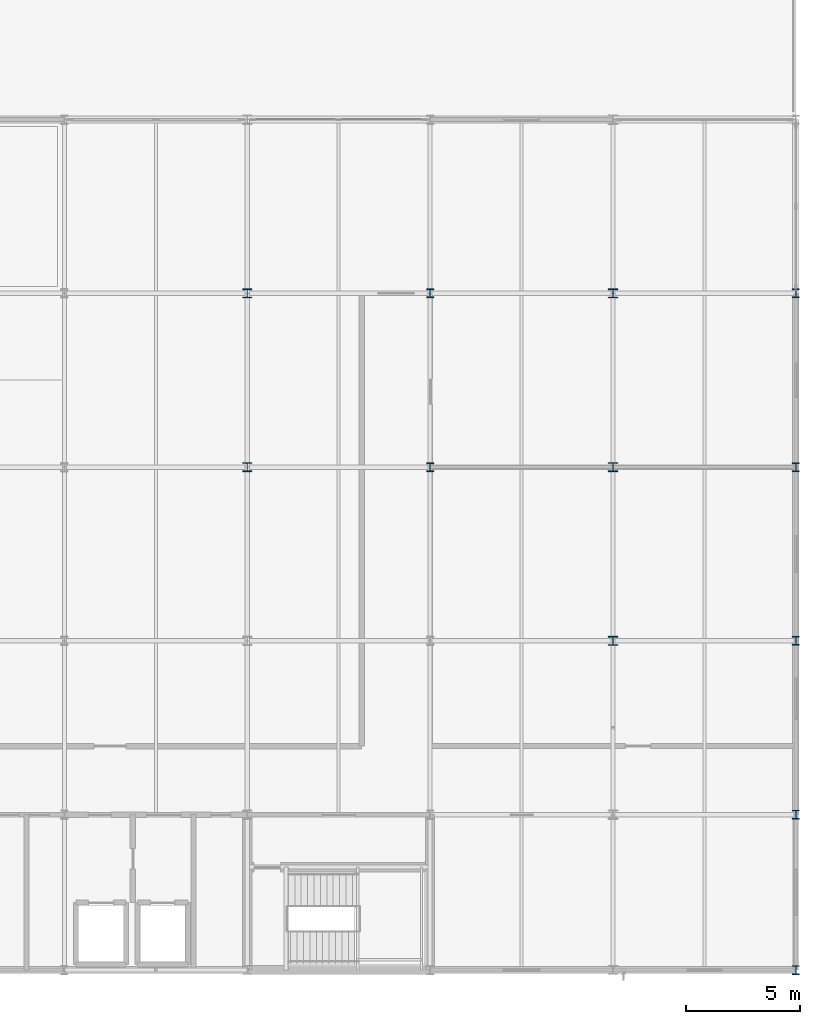
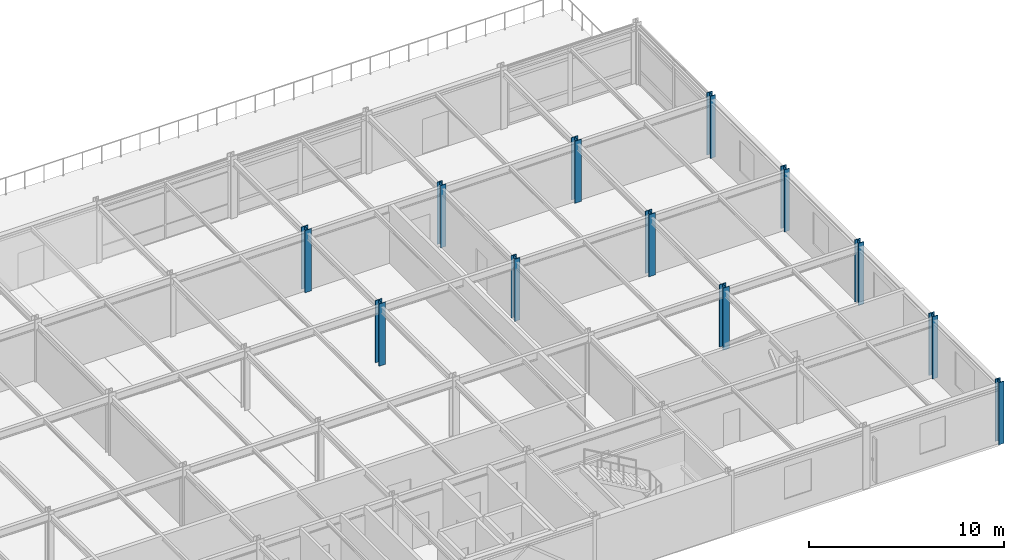
# One storey, part 2 of 17: 12 columns.
"""IFC4 building model written with IfcOpenShell, lengths in metres."""

from ifc_helpers import new_model, si_unit, direction, frame, origin, origin_2d, place, context, subcontext, project, spatial, i_section, extrude, material, material_profile, profile_set, type_object, element, save


model = new_model("IFC4")

# Units and contexts
model_context = context("Model", 3, precision=1e-05, world=origin(), true_north=direction((0.0, 1.0)))
body_context = subcontext(model_context, "Body", "Model", "MODEL_VIEW")
ifc_project = project(units=[si_unit("LENGTHUNIT", "METRE"), si_unit("AREAUNIT", "SQUARE_METRE"), si_unit("VOLUMEUNIT", "CUBIC_METRE"), si_unit("PLANEANGLEUNIT", "RADIAN"), si_unit("MASSUNIT", "GRAM", prefix="KILO")], contexts=[model_context])

# Site, building, storey
site_placement = place(None, origin())
site = spatial("IfcSite", under=ifc_project, at=site_placement, CompositionType="ELEMENT")
building_placement = place(site_placement, origin())
building = spatial("IfcBuilding", under=site, at=building_placement, Name="Shalkamar Park Central Library", CompositionType="ELEMENT")
storey_placement = place(building_placement, frame((0.0, 0.0, 36.0)))
storey = spatial("IfcBuildingStorey", under=building, at=storey_placement, Name="L09", CompositionType="ELEMENT", Elevation=36.0)

# Columns
ifc_material = material(Name="Steel S355", Category="steel")
ifc_material_profile_1 = material_profile(ifc_material, i_section(OverallWidth=0.39794921875, OverallDepth=0.386962890625, WebThickness=0.02099609375, FlangeThickness=0.033203125, FilletRadius=0.014892578125, at=origin_2d()), Name="HD 400x262")
ifc_profile_set_1 = profile_set([ifc_material_profile_1], Name="Steel S355")
column_type_1 = type_object("IfcColumnType", Name="Column Steel HD400x262", PredefinedType="COLUMN", material=ifc_profile_set_1)
for number, where, z_axis, x_axis, name in (
    (1, (197.0, 270.39990234375, 0.0), (0.0, 0.0, 1.0), (1.0, 0.0, 0.0), "Column 11/E (L09)"),
    (2, (197.0, 278.0, 0.0), (0.0, 0.0, 1.0), (1.0, 0.0, 0.0), "Column 11/F (L09)"),
    (3, (213.0, 262.800048828125, 0.0), (0.0, 0.0, 1.0), (1.0, 0.0, 0.0), "Column 13/D (L09)"),
    (4, (213.0, 270.39990234375, 0.0), (0.0, 0.0, 1.0), (1.0, 0.0, 0.0), "Column 13/E (L09)"),
    (5, (213.0, 278.0, 0.0), (0.0, 0.0, 1.0), (1.0, 0.0, 0.0), "Column 13/F (L09)"),
):
    element("IfcColumn", number, at=place(storey_placement, frame(where, z_axis=z_axis, x_axis=x_axis)), inside=storey, type_object=column_type_1, Name=name, PredefinedType="COLUMN", context=body_context, shape_type="SweptSolid", body=[
        extrude(i_section(OverallWidth=0.39794921875, OverallDepth=0.386962890625, WebThickness=0.02099609375, FlangeThickness=0.033203125, FilletRadius=0.014892578125, at=origin_2d()), origin(), (0.0, 0.0, 1.0), 3.89990234375),
    ])
ifc_material_profile_2 = material_profile(ifc_material, i_section(OverallWidth=0.30810546875, OverallDepth=0.39501953125, WebThickness=0.02099609375, FlangeThickness=0.0400390625, FilletRadius=0.027099609375, at=origin_2d()), Name="HEM 360")
ifc_profile_set_2 = profile_set([ifc_material_profile_2], Name="Steel S355")
column_type_2 = type_object("IfcColumnType", Name="Column Steel HEM360", PredefinedType="COLUMN", material=ifc_profile_set_2)
for number, where, z_axis, x_axis, name in (
    (6, (205.0, 270.39990234375, 0.0), (0.0, 0.0, 1.0), (1.0, 0.0, 0.0), "Column 12/E (L09)"),
    (7, (205.0, 278.0, 0.0), (0.0, 0.0, 1.0), (1.0, 0.0, 0.0), "Column 12/F (L09)"),
    (8, (221.0, 248.39990234375, 0.0), (0.0, 0.0, 1.0), (1.0, 0.0, 0.0), "Column 14/B (L09)"),
    (9, (221.0, 255.199951171875, 0.0), (0.0, 0.0, 1.0), (1.0, 0.0, 0.0), "Column 14/C (L09)"),
    (10, (221.0, 262.800048828125, 0.0), (0.0, 0.0, 1.0), (1.0, 0.0, 0.0), "Column 14/D (L09)"),
    (11, (221.0, 270.39990234375, 0.0), (0.0, 0.0, 1.0), (1.0, 0.0, 0.0), "Column 14/E (L09)"),
    (12, (221.0, 278.0, 0.0), (0.0, 0.0, 1.0), (1.0, 0.0, 0.0), "Column 14/F (L09)"),
):
    element("IfcColumn", number, at=place(storey_placement, frame(where, z_axis=z_axis, x_axis=x_axis)), inside=storey, type_object=column_type_2, Name=name, PredefinedType="COLUMN", context=body_context, shape_type="SweptSolid", body=[
        extrude(i_section(OverallWidth=0.30810546875, OverallDepth=0.39501953125, WebThickness=0.02099609375, FlangeThickness=0.0400390625, FilletRadius=0.027099609375, at=origin_2d()), origin(), (0.0, 0.0, 1.0), 3.89990234375),
    ])

save(model, "model.ifc")
